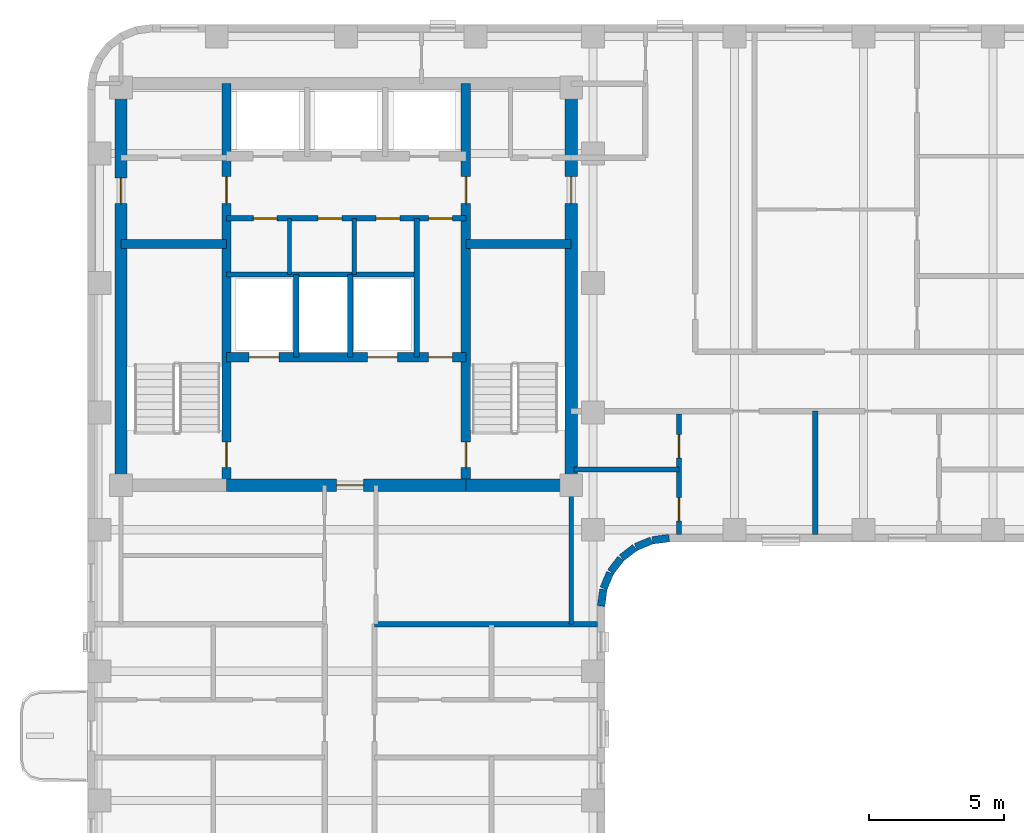
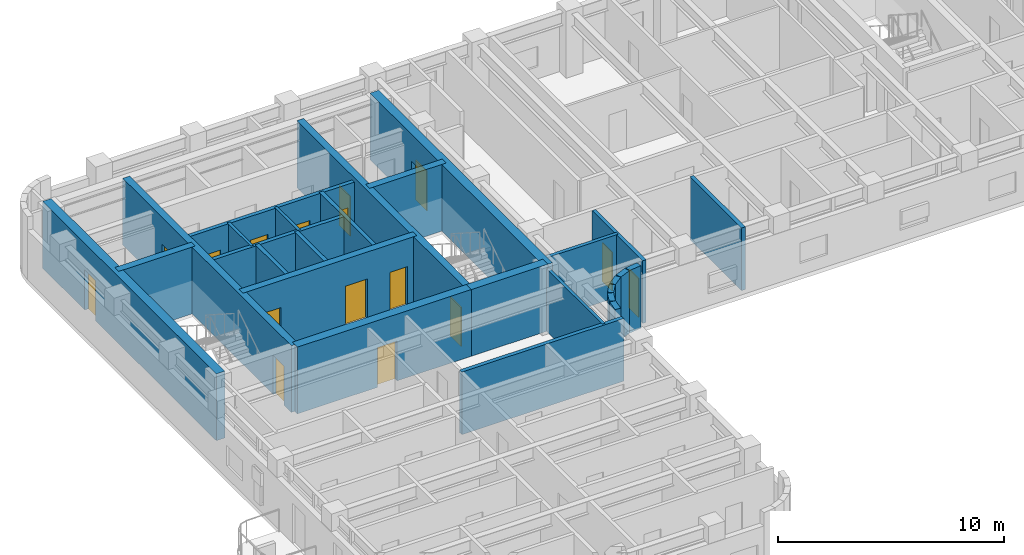
# One storey, part 4 of 10: 27 walls, 16 doors, 16 openings.
"""IFC4 building model written with IfcOpenShell, lengths in metres."""

from ifc_helpers import new_model, si_unit, direction, frame, frame_2d, origin, place, context, subcontext, project, spatial, rectangle, extrude, material, layer, layer_set, type_object, element, fill, save


model = new_model("IFC4")

# Units and contexts
model_context = context("Model", 3, precision=1e-05, world=origin(), true_north=direction((0.0, 1.0)))
body_context = subcontext(model_context, "Body", "Model", "MODEL_VIEW")
ifc_project = project(units=[si_unit("LENGTHUNIT", "METRE"), si_unit("AREAUNIT", "SQUARE_METRE"), si_unit("VOLUMEUNIT", "CUBIC_METRE"), si_unit("PLANEANGLEUNIT", "RADIAN"), si_unit("MASSUNIT", "GRAM", prefix="KILO")], contexts=[model_context])

# Site, building, storey
site_placement = place(None, origin())
site = spatial("IfcSite", under=ifc_project, at=site_placement, CompositionType="ELEMENT")
building_placement = place(site_placement, origin())
building = spatial("IfcBuilding", under=site, at=building_placement, Name="Orvandelia Arch Residences", CompositionType="ELEMENT")
storey_placement = place(building_placement, frame((0.0, 0.0, 211.0)))
storey = spatial("IfcBuildingStorey", under=building, at=storey_placement, Name="L55", CompositionType="ELEMENT", Elevation=211.0)

# Wall, openings, doors
ifc_material_1 = material(Name="Concrete C50/60", Category="concrete")
ifc_layer_1 = layer(ifc_material_1, 0.35009765625, Name="Concrete C50/60", Category="concrete")
ifc_layer_set_1 = layer_set([ifc_layer_1], Name="Concrete C50/60")
wall_type_1 = type_object("IfcWallType", Name="WL-CORE-350", PredefinedType="SHEAR", material=ifc_layer_set_1)
wall_1_placement = place(storey_placement, frame((9.9599609375, 30.89990234375, 0.0), z_axis=(0.0, 0.0, 1.0), x_axis=(0.0, 1.0, 0.0)))
wall_1 = element("IfcWall", 1, at=wall_1_placement, inside=storey, type_object=wall_type_1, Name="Core Shear Wall L55-WEB1", PredefinedType="SHEAR", context=body_context, shape_type="SweptSolid", body=[
    extrude(rectangle(XDim=14.900146484375, YDim=0.35009765625, at=frame_2d((7.4501953125, 0.0))), origin(), (0.0, 0.0, 1.0), 3.60009765625),
])
opening_1_placement = place(wall_1_placement, frame((0.64990234375, 0.0, 0.0)))
opening_1 = element("IfcOpeningElement", 2, at=opening_1_placement, cuts=wall_1, Name="Opening D7", PredefinedType="OPENING", context=body_context, shape_type="SweptSolid", body=[
    extrude(rectangle(XDim=0.949951171875, YDim=2.10009765625, at=frame_2d((0.47509765625, 1.050048828125))), frame((0.0, 0.18505859375, 0.0), z_axis=(0.0, -1.0, 0.0), x_axis=(1.0, 0.0, 0.0)), (0.0, 0.0, 1.0), 0.3701171875),
])
opening_2_placement = place(wall_1_placement, frame((10.449951171875, 0.0, 0.0)))
opening_2 = element("IfcOpeningElement", 3, at=opening_2_placement, cuts=wall_1, Name="Opening D6", PredefinedType="OPENING", context=body_context, shape_type="SweptSolid", body=[
    extrude(rectangle(XDim=1.0, YDim=2.14990234375, at=frame_2d((0.5, 1.074951171875))), frame((0.0, 0.18505859375, 0.0), z_axis=(0.0, -1.0, 0.0), x_axis=(1.0, 0.0, 0.0)), (0.0, 0.0, 1.0), 0.3701171875),
])
ifc_material_2 = material(Name="Smokeproof Painted Steel Fire Door", Category="steel")
door_type_1 = type_object("IfcDoorType", Name="DR-FD60-1000", OperationType="NOTDEFINED", PredefinedType="DOOR", material=ifc_material_2)
door_1_placement = place(opening_2_placement, origin())
door_1 = element("IfcDoor", 4, at=door_1_placement, inside=storey, type_object=door_type_1, Name="High-Rise Lift Hall West Vestibule Door L55", OperationType="SINGLE_SWING_LEFT", OverallHeight=2.14990234375, OverallWidth=1.0, PredefinedType="DOOR", context=body_context, shape_type="SweptSolid", body=[
    extrude(rectangle(XDim=1.0, YDim=2.14990234375, at=frame_2d((0.5, 1.074951171875))), frame((0.0, 0.02490234375, 0.0), z_axis=(0.0, -1.0, 0.0), x_axis=(1.0, 0.0, 0.0)), (0.0, 0.0, 1.0), 0.050048828125),
])
fill(opening_2, door_1)
ifc_material_3 = material(Name="Pressurised Stairwell Fire Door")
door_type_2 = type_object("IfcDoorType", Name="DR-STAIR-950", OperationType="NOTDEFINED", PredefinedType="DOOR", material=ifc_material_3)
door_2_placement = place(opening_1_placement, origin())
door_2 = element("IfcDoor", 5, at=door_2_placement, inside=storey, type_object=door_type_2, Name="Stairwell ST-1 Fire Door L55", OperationType="SINGLE_SWING_LEFT", OverallHeight=2.10009765625, OverallWidth=0.949951171875, PredefinedType="DOOR", context=body_context, shape_type="SweptSolid", body=[
    extrude(rectangle(XDim=0.949951171875, YDim=2.10009765625, at=frame_2d((0.47509765625, 1.050048828125))), frame((0.0, 0.02490234375, 0.0), z_axis=(0.0, -1.0, 0.0), x_axis=(1.0, 0.0, 0.0)), (0.0, 0.0, 1.0), 0.050048828125),
])
fill(opening_1, door_2)

wall_2_placement = place(storey_placement, frame((18.840087890625, 30.89990234375, 0.0), z_axis=(0.0, 0.0, 1.0), x_axis=(0.0, 1.0, 0.0)))
wall_2 = element("IfcWall", 6, at=wall_2_placement, inside=storey, type_object=wall_type_1, Name="Core Shear Wall L55-WEB2", PredefinedType="SHEAR", context=body_context, shape_type="SweptSolid", body=[
    extrude(rectangle(XDim=14.900146484375, YDim=0.35009765625, at=frame_2d((7.4501953125, 0.0))), origin(), (0.0, 0.0, 1.0), 3.60009765625),
])
opening_3_placement = place(wall_2_placement, frame((0.64990234375, 0.0, 0.0)))
opening_3 = element("IfcOpeningElement", 7, at=opening_3_placement, cuts=wall_2, Name="Opening D7", PredefinedType="OPENING", context=body_context, shape_type="SweptSolid", body=[
    extrude(rectangle(XDim=0.949951171875, YDim=2.10009765625, at=frame_2d((0.47509765625, 1.050048828125))), frame((0.0, 0.18505859375, 0.0), z_axis=(0.0, -1.0, 0.0), x_axis=(1.0, 0.0, 0.0)), (0.0, 0.0, 1.0), 0.3701171875),
])
opening_4_placement = place(wall_2_placement, frame((10.449951171875, 0.0, 0.0)))
opening_4 = element("IfcOpeningElement", 8, at=opening_4_placement, cuts=wall_2, Name="Opening D6", PredefinedType="OPENING", context=body_context, shape_type="SweptSolid", body=[
    extrude(rectangle(XDim=1.0, YDim=2.14990234375, at=frame_2d((0.5, 1.074951171875))), frame((0.0, 0.18505859375, 0.0), z_axis=(0.0, -1.0, 0.0), x_axis=(1.0, 0.0, 0.0)), (0.0, 0.0, 1.0), 0.3701171875),
])
door_3_placement = place(opening_4_placement, origin())
door_3 = element("IfcDoor", 9, at=door_3_placement, inside=storey, type_object=door_type_1, Name="High-Rise Lift Hall East Vestibule Door L55", OperationType="SINGLE_SWING_RIGHT", OverallHeight=2.14990234375, OverallWidth=1.0, PredefinedType="DOOR", context=body_context, shape_type="SweptSolid", body=[
    extrude(rectangle(XDim=1.0, YDim=2.14990234375, at=frame_2d((0.5, 1.074951171875))), frame((0.0, 0.02490234375, 0.0), z_axis=(0.0, -1.0, 0.0), x_axis=(1.0, 0.0, 0.0)), (0.0, 0.0, 1.0), 0.050048828125),
])
fill(opening_4, door_3)
door_4_placement = place(opening_3_placement, origin())
door_4 = element("IfcDoor", 10, at=door_4_placement, inside=storey, type_object=door_type_2, Name="Stairwell ST-2 Fire Door L55", OperationType="SINGLE_SWING_RIGHT", OverallHeight=2.10009765625, OverallWidth=0.949951171875, PredefinedType="DOOR", context=body_context, shape_type="SweptSolid", body=[
    extrude(rectangle(XDim=0.949951171875, YDim=2.10009765625, at=frame_2d((0.47509765625, 1.050048828125))), frame((0.0, 0.02490234375, 0.0), z_axis=(0.0, -1.0, 0.0), x_axis=(1.0, 0.0, 0.0)), (0.0, 0.0, 1.0), 0.050048828125),
])
fill(opening_3, door_4)

# Walls
for number, where, z_axis, x_axis, name in (
    (11, (6.050048828125, 39.85009765625, 0.0), (0.0, 0.0, 1.0), (1.0, 0.0, 0.0), "Core Shear Wall L55-HZ1"),
    (12, (18.840087890625, 39.85009765625, 0.0), (0.0, 0.0, 1.0), (1.0, 0.0, 0.0), "Core Shear Wall L55-HZ2"),
):
    element("IfcWall", number, at=place(storey_placement, frame(where, z_axis=z_axis, x_axis=x_axis)), inside=storey, type_object=wall_type_1, Name=name, PredefinedType="SHEAR", context=body_context, shape_type="SweptSolid", body=[
        extrude(rectangle(XDim=3.909912109375, YDim=0.35009765625, at=frame_2d((1.955078125, 0.0))), origin(), (0.0, 0.0, 1.0), 3.60009765625),
    ])

# Wall, openings, doors
wall_3_placement = place(storey_placement, frame((9.9599609375, 35.64990234375, 0.0), z_axis=(0.0, 0.0, 1.0), x_axis=(1.0, 0.0, 0.0)))
wall_3 = element("IfcWall", 13, at=wall_3_placement, inside=storey, type_object=wall_type_1, Name="Core Shear Wall L55-HZ3", PredefinedType="SHEAR", context=body_context, shape_type="SweptSolid", body=[
    extrude(rectangle(XDim=8.880126953125, YDim=0.35009765625, at=frame_2d((4.43994140625, 0.0))), origin(), (0.0, 0.0, 1.0), 3.60009765625),
])
opening_5_placement = place(wall_3_placement, frame((0.840087890625, 0.0, 0.0)))
opening_5 = element("IfcOpeningElement", 14, at=opening_5_placement, cuts=wall_3, Name="Opening FLD", PredefinedType="OPENING", context=body_context, shape_type="SweptSolid", body=[
    extrude(rectangle(XDim=1.10009765625, YDim=2.14990234375, at=frame_2d((0.550048828125, 1.074951171875))), frame((0.0, 0.18505859375, 0.0), z_axis=(0.0, -1.0, 0.0), x_axis=(1.0, 0.0, 0.0)), (0.0, 0.0, 1.0), 0.3701171875),
])
opening_6_placement = place(wall_3_placement, frame((5.239990234375, 0.0, 0.0)))
opening_6 = element("IfcOpeningElement", 15, at=opening_6_placement, cuts=wall_3, Name="Opening FLD", PredefinedType="OPENING", context=body_context, shape_type="SweptSolid", body=[
    extrude(rectangle(XDim=1.10009765625, YDim=2.14990234375, at=frame_2d((0.550048828125, 1.074951171875))), frame((0.0, 0.18505859375, 0.0), z_axis=(0.0, -1.0, 0.0), x_axis=(1.0, 0.0, 0.0)), (0.0, 0.0, 1.0), 0.3701171875),
])
opening_7_placement = place(wall_3_placement, frame((7.5, 0.0, 0.0)))
opening_7 = element("IfcOpeningElement", 16, at=opening_7_placement, cuts=wall_3, Name="Opening D5", PredefinedType="OPENING", context=body_context, shape_type="SweptSolid", body=[
    extrude(rectangle(XDim=0.8798828125, YDim=2.10009765625, at=frame_2d((0.43994140625, 1.050048828125))), frame((0.0, 0.18505859375, 0.0), z_axis=(0.0, -1.0, 0.0), x_axis=(1.0, 0.0, 0.0)), (0.0, 0.0, 1.0), 0.3701171875),
])
ifc_material_4 = material(Name="Firefighting Lift Stainless Sliding Door")
door_type_3 = type_object("IfcDoorType", Name="DR-FLFT-1100", OperationType="NOTDEFINED", PredefinedType="DOOR", material=ifc_material_4)
door_5_placement = place(opening_5_placement, origin())
door_5 = element("IfcDoor", 17, at=door_5_placement, inside=storey, type_object=door_type_3, Name="Firefighting Lift Landing Door FLD-FL1-L55", OperationType="SLIDING_TO_LEFT", OverallHeight=2.14990234375, OverallWidth=1.10009765625, PredefinedType="DOOR", context=body_context, shape_type="SweptSolid", body=[
    extrude(rectangle(XDim=1.10009765625, YDim=2.14990234375, at=frame_2d((0.550048828125, 1.074951171875))), frame((0.0, 0.02490234375, 0.0), z_axis=(0.0, -1.0, 0.0), x_axis=(1.0, 0.0, 0.0)), (0.0, 0.0, 1.0), 0.050048828125),
])
fill(opening_5, door_5)
door_6_placement = place(opening_6_placement, origin())
door_6 = element("IfcDoor", 18, at=door_6_placement, inside=storey, type_object=door_type_3, Name="Firefighting Lift Landing Door FLD-FL2-L55", OperationType="SLIDING_TO_RIGHT", OverallHeight=2.14990234375, OverallWidth=1.10009765625, PredefinedType="DOOR", context=body_context, shape_type="SweptSolid", body=[
    extrude(rectangle(XDim=1.10009765625, YDim=2.14990234375, at=frame_2d((0.550048828125, 1.074951171875))), frame((0.0, 0.02490234375, 0.0), z_axis=(0.0, -1.0, 0.0), x_axis=(1.0, 0.0, 0.0)), (0.0, 0.0, 1.0), 0.050048828125),
])
fill(opening_6, door_6)
ifc_material_5 = material(Name="Painted Galvanised Steel Service Door", Category="steel")
door_type_4 = type_object("IfcDoorType", Name="DR-SRV-880", OperationType="NOTDEFINED", PredefinedType="DOOR", material=ifc_material_5)
door_7_placement = place(opening_7_placement, origin())
door_7 = element("IfcDoor", 19, at=door_7_placement, inside=storey, type_object=door_type_4, Name="Core Stairway Passage South Fire Door L55", OperationType="SINGLE_SWING_LEFT", OverallHeight=2.10009765625, OverallWidth=0.8798828125, PredefinedType="DOOR", context=body_context, shape_type="SweptSolid", body=[
    extrude(rectangle(XDim=0.8798828125, YDim=2.10009765625, at=frame_2d((0.43994140625, 1.050048828125))), frame((0.0, 0.02490234375, 0.0), z_axis=(0.0, -1.0, 0.0), x_axis=(1.0, 0.0, 0.0)), (0.0, 0.0, 1.0), 0.050048828125),
])
fill(opening_7, door_7)

# Wall, opening, door
ifc_layer_2 = layer(ifc_material_1, 0.449951171875, Name="Concrete C50/60", Category="concrete")
ifc_layer_set_2 = layer_set([ifc_layer_2], Name="Concrete C50/60")
wall_type_2 = type_object("IfcWallType", Name="WL-CORE-450", PredefinedType="SHEAR", material=ifc_layer_set_2)
wall_4_placement = place(storey_placement, frame((6.050048828125, 30.675048828125, 0.0), z_axis=(0.0, 0.0, 1.0), x_axis=(0.0, 1.0, 0.0)))
wall_4 = element("IfcWall", 20, at=wall_4_placement, inside=storey, type_object=wall_type_2, Name="Core Shear Wall L55-W", PredefinedType="SHEAR", context=body_context, shape_type="SweptSolid", body=[
    extrude(rectangle(XDim=15.349853515625, YDim=0.449951171875, at=frame_2d((7.6748046875, 0.0))), origin(), (0.0, 0.0, 1.0), 3.60009765625),
])
opening_8_placement = place(wall_4_placement, frame((10.675048828125, 0.0, 0.0)))
opening_8 = element("IfcOpeningElement", 21, at=opening_8_placement, cuts=wall_4, Name="Opening D2", PredefinedType="OPENING", context=body_context, shape_type="SweptSolid", body=[
    extrude(rectangle(XDim=0.949951171875, YDim=2.14990234375, at=frame_2d((0.47509765625, 1.074951171875))), frame((0.0, 0.23486328125, 0.0), z_axis=(0.0, -1.0, 0.0), x_axis=(1.0, 0.0, 0.0)), (0.0, 0.0, 1.0), 0.469970703125),
])
ifc_material_6 = material(Name="Solid-Core Timber Interior Fire Door", Category="wood")
door_type_5 = type_object("IfcDoorType", Name="DR-APT-950", OperationType="NOTDEFINED", PredefinedType="DOOR", material=ifc_material_6)
door_8_placement = place(opening_8_placement, origin())
door_8 = element("IfcDoor", 22, at=door_8_placement, inside=storey, type_object=door_type_5, Name="West Viewing Study Door L55", OperationType="SINGLE_SWING_RIGHT", OverallHeight=2.14990234375, OverallWidth=0.949951171875, PredefinedType="DOOR", context=body_context, shape_type="SweptSolid", body=[
    extrude(rectangle(XDim=0.949951171875, YDim=2.14990234375, at=frame_2d((0.47509765625, 1.074951171875))), frame((0.0, 0.02490234375, 0.0), z_axis=(0.0, -1.0, 0.0), x_axis=(1.0, 0.0, 0.0)), (0.0, 0.0, 1.0), 0.050048828125),
])
fill(opening_8, door_8)

wall_5_placement = place(storey_placement, frame((22.75, 30.675048828125, 0.0), z_axis=(0.0, 0.0, 1.0), x_axis=(0.0, 1.0, 0.0)))
wall_5 = element("IfcWall", 23, at=wall_5_placement, inside=storey, type_object=wall_type_2, Name="Core Shear Wall L55-E", PredefinedType="SHEAR", context=body_context, shape_type="SweptSolid", body=[
    extrude(rectangle(XDim=15.349853515625, YDim=0.449951171875, at=frame_2d((7.6748046875, 0.0))), origin(), (0.0, 0.0, 1.0), 3.60009765625),
])
opening_9_placement = place(wall_5_placement, frame((10.675048828125, 0.0, 0.0)))
opening_9 = element("IfcOpeningElement", 24, at=opening_9_placement, cuts=wall_5, Name="Opening D6", PredefinedType="OPENING", context=body_context, shape_type="SweptSolid", body=[
    extrude(rectangle(XDim=1.0, YDim=2.14990234375, at=frame_2d((0.5, 1.074951171875))), frame((0.0, 0.23486328125, 0.0), z_axis=(0.0, -1.0, 0.0), x_axis=(1.0, 0.0, 0.0)), (0.0, 0.0, 1.0), 0.469970703125),
])
door_9_placement = place(opening_9_placement, origin())
door_9 = element("IfcDoor", 25, at=door_9_placement, inside=storey, type_object=door_type_1, Name="Core East Corridor Link Door L55", OperationType="SINGLE_SWING_LEFT", OverallHeight=2.14990234375, OverallWidth=1.0, PredefinedType="DOOR", context=body_context, shape_type="SweptSolid", body=[
    extrude(rectangle(XDim=1.0, YDim=2.14990234375, at=frame_2d((0.5, 1.074951171875))), frame((0.0, 0.02490234375, 0.0), z_axis=(0.0, -1.0, 0.0), x_axis=(1.0, 0.0, 0.0)), (0.0, 0.0, 1.0), 0.050048828125),
])
fill(opening_9, door_9)

wall_6_placement = place(storey_placement, frame((9.9599609375, 30.89990234375, 0.0), z_axis=(0.0, 0.0, 1.0), x_axis=(1.0, 0.0, 0.0)))
wall_6 = element("IfcWall", 26, at=wall_6_placement, inside=storey, type_object=wall_type_2, Name="Core Shear Wall L55-SM", PredefinedType="SHEAR", context=body_context, shape_type="SweptSolid", body=[
    extrude(rectangle(XDim=8.880126953125, YDim=0.449951171875, at=frame_2d((4.43994140625, 0.0))), origin(), (0.0, 0.0, 1.0), 3.60009765625),
])
opening_10_placement = place(wall_6_placement, frame((4.090087890625, 0.0, 0.0)))
opening_10 = element("IfcOpeningElement", 27, at=opening_10_placement, cuts=wall_6, Name="Opening D6", PredefinedType="OPENING", context=body_context, shape_type="SweptSolid", body=[
    extrude(rectangle(XDim=1.0, YDim=2.14990234375, at=frame_2d((0.5, 1.074951171875))), frame((0.0, 0.23486328125, 0.0), z_axis=(0.0, -1.0, 0.0), x_axis=(1.0, 0.0, 0.0)), (0.0, 0.0, 1.0), 0.469970703125),
])
door_10_placement = place(opening_10_placement, origin())
door_10 = element("IfcDoor", 28, at=door_10_placement, inside=storey, type_object=door_type_1, Name="Firefighting Lobby Smokeproof Door L55", OperationType="SINGLE_SWING_LEFT", OverallHeight=2.14990234375, OverallWidth=1.0, PredefinedType="DOOR", context=body_context, shape_type="SweptSolid", body=[
    extrude(rectangle(XDim=1.0, YDim=2.14990234375, at=frame_2d((0.5, 1.074951171875))), frame((0.0, 0.02490234375, 0.0), z_axis=(0.0, -1.0, 0.0), x_axis=(1.0, 0.0, 0.0)), (0.0, 0.0, 1.0), 0.050048828125),
])
fill(opening_10, door_10)

# Walls
wall_7_placement = place(storey_placement, frame((18.840087890625, 30.89990234375, 0.0), z_axis=(0.0, 0.0, 1.0), x_axis=(1.0, 0.0, 0.0)))
element("IfcWall", 29, at=wall_7_placement, inside=storey, type_object=wall_type_2, Name="Core Shear Wall L55-SE", PredefinedType="SHEAR", context=body_context, shape_type="SweptSolid", body=[
    extrude(rectangle(XDim=3.909912109375, YDim=0.449951171875, at=frame_2d((1.955078125, 0.0))), origin(), (0.0, 0.0, 1.0), 3.60009765625),
])
ifc_material_7 = material(Name="Fire-Rated Corridor Partition")
ifc_layer_3 = layer(ifc_material_7, 0.199951171875, Name="Fire-Rated Corridor Partition")
ifc_layer_set_3 = layer_set([ifc_layer_3], Name="Fire-Rated Corridor Partition")
wall_type_3 = type_object("IfcWallType", Name="WL-CORR-200", PredefinedType="PARTITIONING", material=ifc_layer_set_3)
wall_8_placement = place(storey_placement, frame((15.449951171875, 25.75, 0.0), z_axis=(0.0, 0.0, 1.0), x_axis=(1.0, 0.0, 0.0)))
element("IfcWall", 30, at=wall_8_placement, inside=storey, type_object=wall_type_3, Name="Interior Partition Wall WL-L55-WCLS-E", PredefinedType="PARTITIONING", context=body_context, shape_type="SweptSolid", body=[
    extrude(rectangle(XDim=8.27001953125, YDim=0.199951171875, at=frame_2d((4.135009765625, 0.0))), origin(), (0.0, 0.0, 1.0), 3.3798828125),
])
ifc_material_8 = material(Name="Concrete C40/50", Category="concrete")
ifc_layer_4 = layer(ifc_material_8, 0.199951171875, Name="Concrete C40/50", Category="concrete")
ifc_layer_set_4 = layer_set([ifc_layer_4], Name="Concrete C40/50")
wall_type_4 = type_object("IfcWallType", Name="WL-DEM-200", PredefinedType="SOLIDWALL", material=ifc_layer_set_4)
wall_9_placement = place(storey_placement, frame((31.800048828125, 29.080078125, 0.0), z_axis=(0.0, 0.0, 1.0), x_axis=(0.0, 1.0, 0.0)))
element("IfcWall", 31, at=wall_9_placement, inside=storey, type_object=wall_type_4, Name="Interior Partition Wall WL-L55-DEM-ESS-318", PredefinedType="SOLIDWALL", context=body_context, shape_type="SweptSolid", body=[
    extrude(rectangle(XDim=4.56982421875, YDim=0.199951171875, at=frame_2d((2.284912109375, 0.0))), origin(), (0.0, 0.0, 1.0), 3.3798828125),
])
ifc_material_9 = material(Name="Precast concrete C40/50", Category="concrete")
ifc_layer_5 = layer(ifc_material_9, 0.280029296875, Name="Precast concrete C40/50", Category="concrete")
ifc_layer_set_5 = layer_set([ifc_layer_5], Name="Precast concrete C40/50")
wall_type_5 = type_object("IfcWallType", Name="WL-EXT-STONE-280", PredefinedType="STANDARD", material=ifc_layer_set_5)
wall_10_placement = place(storey_placement, frame((26.381591796875, 28.938720703125, 0.0), z_axis=(0.0, 0.0, 1.0), x_axis=(-0.9914410257, -0.130555323746, 0.0)))
element("IfcWall", 32, at=wall_10_placement, inside=storey, type_object=wall_type_5, Name="Coral-Limestone Precast Facade Wall L55-022", PredefinedType="STANDARD", context=body_context, shape_type="SweptSolid", body=[
    extrude(rectangle(XDim=0.62646484375, YDim=0.280029296875, at=frame_2d((0.313232421875, 0.0))), origin(), (0.0, 0.0, 1.0), 3.3798828125),
])
wall_11_placement = place(storey_placement, frame((25.72509765625, 28.847412109375, 0.0), z_axis=(0.0, 0.0, 1.0), x_axis=(-0.923974080304, -0.382455093999, 0.0)))
element("IfcWall", 33, at=wall_11_placement, inside=storey, type_object=wall_type_5, Name="Coral-Limestone Precast Facade Wall L55-023", PredefinedType="STANDARD", context=body_context, shape_type="SweptSolid", body=[
    extrude(rectangle(XDim=0.626220703125, YDim=0.280029296875, at=frame_2d((0.31298828125, 0.0))), origin(), (0.0, 0.0, 1.0), 3.3798828125),
])
for number, where, z_axis, x_axis, name in (
    (34, (25.11474609375, 28.589599609375, 0.0), (0.0, 0.0, 1.0), (-0.793405610854, -0.608693302629, 0.0), "Coral-Limestone Precast Facade Wall L55-024"),
    (35, (24.591796875, 28.182373046875, 0.0), (0.0, 0.0, 1.0), (-0.608693302629, -0.793405610854, 0.0), "Coral-Limestone Precast Facade Wall L55-025"),
    (36, (24.192138671875, 27.653564453125, 0.0), (0.0, 0.0, 1.0), (-0.382650053678, -0.92389335771, 0.0), "Coral-Limestone Precast Facade Wall L55-026"),
):
    element("IfcWall", number, at=place(storey_placement, frame(where, z_axis=z_axis, x_axis=x_axis)), inside=storey, type_object=wall_type_5, Name=name, PredefinedType="STANDARD", context=body_context, shape_type="SweptSolid", body=[
        extrude(rectangle(XDim=0.62646484375, YDim=0.280029296875, at=frame_2d((0.313232421875, 0.0))), origin(), (0.0, 0.0, 1.0), 3.3798828125),
    ])
wall_12_placement = place(storey_placement, frame((23.943115234375, 27.03955078125, 0.0), z_axis=(0.0, 0.0, 1.0), x_axis=(-0.130887801573, -0.991397187508, 0.0)))
element("IfcWall", 37, at=wall_12_placement, inside=storey, type_object=wall_type_5, Name="Coral-Limestone Precast Facade Wall L55-027", PredefinedType="STANDARD", context=body_context, shape_type="SweptSolid", body=[
    extrude(rectangle(XDim=0.626708984375, YDim=0.280029296875, at=frame_2d((0.3134765625, 0.0))), origin(), (0.0, 0.0, 1.0), 3.3798828125),
])
ifc_material_10 = material(Name="Acoustic Gypsum Stud Partition")
ifc_layer_6 = layer(ifc_material_10, 0.14990234375, Name="Acoustic Gypsum Stud Partition")
ifc_layer_set_6 = layer_set([ifc_layer_6], Name="Acoustic Gypsum Stud Partition")
wall_type_6 = type_object("IfcWallType", Name="WL-PART-150", PredefinedType="PARTITIONING", material=ifc_layer_set_6)
for number, where, z_axis, x_axis, name in (
    (38, (12.300048828125, 38.719970703125, 0.0), (0.0, 0.0, 1.0), (0.0, 1.0, 0.0), "Interior Partition Wall WL-L55-CSA-1"),
    (39, (14.699951171875, 38.719970703125, 0.0), (0.0, 0.0, 1.0), (0.0, 1.0, 0.0), "Interior Partition Wall WL-L55-CSA-2"),
):
    element("IfcWall", number, at=place(storey_placement, frame(where, z_axis=z_axis, x_axis=x_axis)), inside=storey, type_object=wall_type_6, Name=name, PredefinedType="PARTITIONING", context=body_context, shape_type="SweptSolid", body=[
        extrude(rectangle(XDim=2.080078125, YDim=0.14990234375, at=frame_2d((1.0400390625, 0.0))), origin(), (0.0, 0.0, 1.0), 3.3798828125),
    ])
wall_13_placement = place(storey_placement, frame((22.75, 25.75, 0.0), z_axis=(0.0, 0.0, 1.0), x_axis=(0.0, 1.0, 0.0)))
element("IfcWall", 40, at=wall_13_placement, inside=storey, type_object=wall_type_6, Name="Interior Partition Wall WL-L55-HI-WE", PredefinedType="PARTITIONING", context=body_context, shape_type="SweptSolid", body=[
    extrude(rectangle(XDim=5.14990234375, YDim=0.14990234375, at=frame_2d((2.574951171875, 0.0))), origin(), (0.0, 0.0, 1.0), 3.3798828125),
])
ifc_material_11 = material(Name="Fire-Rated Shaft Enclosure Wall")
ifc_layer_7 = layer(ifc_material_11, 0.199951171875, Name="Fire-Rated Shaft Enclosure Wall")
ifc_layer_set_7 = layer_set([ifc_layer_7], Name="Fire-Rated Shaft Enclosure Wall")
wall_type_7 = type_object("IfcWallType", Name="WL-SHAFT-200", PredefinedType="POLYGONAL", material=ifc_layer_set_7)
wall_14_placement = place(storey_placement, frame((9.9599609375, 38.719970703125, 0.0), z_axis=(0.0, 0.0, 1.0), x_axis=(1.0, 0.0, 0.0)))
element("IfcWall", 41, at=wall_14_placement, inside=storey, type_object=wall_type_7, Name="Interior Partition Wall WL-L55-FLN", PredefinedType="POLYGONAL", context=body_context, shape_type="SweptSolid", body=[
    extrude(rectangle(XDim=7.06005859375, YDim=0.199951171875, at=frame_2d((3.530029296875, 0.0))), origin(), (0.0, 0.0, 1.0), 3.3798828125),
])
for number, where, z_axis, x_axis, name in (
    (42, (12.550048828125, 35.64990234375, 0.0), (0.0, 0.0, 1.0), (0.0, 1.0, 0.0), "Interior Partition Wall WL-L55-FLM1"),
    (43, (14.550048828125, 35.64990234375, 0.0), (0.0, 0.0, 1.0), (0.0, 1.0, 0.0), "Interior Partition Wall WL-L55-FLM2"),
):
    element("IfcWall", number, at=place(storey_placement, frame(where, z_axis=z_axis, x_axis=x_axis)), inside=storey, type_object=wall_type_7, Name=name, PredefinedType="POLYGONAL", context=body_context, shape_type="SweptSolid", body=[
        extrude(rectangle(XDim=3.070068359375, YDim=0.199951171875, at=frame_2d((1.53515625, 0.0))), origin(), (0.0, 0.0, 1.0), 3.3798828125),
    ])
wall_15_placement = place(storey_placement, frame((17.02001953125, 35.64990234375, 0.0), z_axis=(0.0, 0.0, 1.0), x_axis=(0.0, 1.0, 0.0)))
element("IfcWall", 44, at=wall_15_placement, inside=storey, type_object=wall_type_7, Name="Interior Partition Wall WL-L55-FLM3", PredefinedType="POLYGONAL", context=body_context, shape_type="SweptSolid", body=[
    extrude(rectangle(XDim=5.150146484375, YDim=0.199951171875, at=frame_2d((2.5751953125, 0.0))), origin(), (0.0, 0.0, 1.0), 3.3798828125),
])

# Wall, openings, doors
wall_16_placement = place(storey_placement, frame((9.9599609375, 40.800048828125, 0.0), z_axis=(0.0, 0.0, 1.0), x_axis=(1.0, 0.0, 0.0)))
wall_16 = element("IfcWall", 45, at=wall_16_placement, inside=storey, type_object=wall_type_7, Name="Interior Partition Wall WL-L55-HLH-S", PredefinedType="POLYGONAL", context=body_context, shape_type="SweptSolid", body=[
    extrude(rectangle(XDim=8.880126953125, YDim=0.199951171875, at=frame_2d((4.43994140625, 0.0))), origin(), (0.0, 0.0, 1.0), 3.3798828125),
])
opening_11_placement = place(wall_16_placement, frame((7.5, 0.0, 0.0)))
opening_11 = element("IfcOpeningElement", 46, at=opening_11_placement, cuts=wall_16, Name="Opening D5", PredefinedType="OPENING", context=body_context, shape_type="SweptSolid", body=[
    extrude(rectangle(XDim=0.8798828125, YDim=2.10009765625, at=frame_2d((0.43994140625, 1.050048828125))), frame((0.0, 0.10986328125, 0.0), z_axis=(0.0, -1.0, 0.0), x_axis=(1.0, 0.0, 0.0)), (0.0, 0.0, 1.0), 0.219970703125),
])
opening_12_placement = place(wall_16_placement, frame((1.0, 0.0, 0.0)))
opening_12 = element("IfcOpeningElement", 47, at=opening_12_placement, cuts=wall_16, Name="Opening D5", PredefinedType="OPENING", context=body_context, shape_type="SweptSolid", body=[
    extrude(rectangle(XDim=0.8798828125, YDim=2.10009765625, at=frame_2d((0.43994140625, 1.050048828125))), frame((0.0, 0.10986328125, 0.0), z_axis=(0.0, -1.0, 0.0), x_axis=(1.0, 0.0, 0.0)), (0.0, 0.0, 1.0), 0.219970703125),
])
opening_13_placement = place(wall_16_placement, frame((3.39990234375, 0.0, 0.0)))
opening_13 = element("IfcOpeningElement", 48, at=opening_13_placement, cuts=wall_16, Name="Opening D5", PredefinedType="OPENING", context=body_context, shape_type="SweptSolid", body=[
    extrude(rectangle(XDim=0.8798828125, YDim=2.10009765625, at=frame_2d((0.43994140625, 1.050048828125))), frame((0.0, 0.10986328125, 0.0), z_axis=(0.0, -1.0, 0.0), x_axis=(1.0, 0.0, 0.0)), (0.0, 0.0, 1.0), 0.219970703125),
])
opening_14_placement = place(wall_16_placement, frame((5.550048828125, 0.0, 0.0)))
opening_14 = element("IfcOpeningElement", 49, at=opening_14_placement, cuts=wall_16, Name="Opening D5", PredefinedType="OPENING", context=body_context, shape_type="SweptSolid", body=[
    extrude(rectangle(XDim=0.8798828125, YDim=2.10009765625, at=frame_2d((0.43994140625, 1.050048828125))), frame((0.0, 0.10986328125, 0.0), z_axis=(0.0, -1.0, 0.0), x_axis=(1.0, 0.0, 0.0)), (0.0, 0.0, 1.0), 0.219970703125),
])
door_11_placement = place(opening_11_placement, origin())
door_11 = element("IfcDoor", 50, at=door_11_placement, inside=storey, type_object=door_type_4, Name="Core Stairway Passage North Fire Door L55", OperationType="SINGLE_SWING_RIGHT", OverallHeight=2.10009765625, OverallWidth=0.8798828125, PredefinedType="DOOR", context=body_context, shape_type="SweptSolid", body=[
    extrude(rectangle(XDim=0.8798828125, YDim=2.10009765625, at=frame_2d((0.43994140625, 1.050048828125))), frame((0.0, 0.02490234375, 0.0), z_axis=(0.0, -1.0, 0.0), x_axis=(1.0, 0.0, 0.0)), (0.0, 0.0, 1.0), 0.050048828125),
])
fill(opening_11, door_11)
door_12_placement = place(opening_12_placement, origin())
door_12 = element("IfcDoor", 51, at=door_12_placement, inside=storey, type_object=door_type_4, Name="DR-L55-CSA1", OperationType="SINGLE_SWING_LEFT", OverallHeight=2.10009765625, OverallWidth=0.8798828125, PredefinedType="DOOR", context=body_context, shape_type="SweptSolid", body=[
    extrude(rectangle(XDim=0.8798828125, YDim=2.10009765625, at=frame_2d((0.43994140625, 1.050048828125))), frame((0.0, 0.02490234375, 0.0), z_axis=(0.0, -1.0, 0.0), x_axis=(1.0, 0.0, 0.0)), (0.0, 0.0, 1.0), 0.050048828125),
])
fill(opening_12, door_12)
door_13_placement = place(opening_13_placement, origin())
door_13 = element("IfcDoor", 52, at=door_13_placement, inside=storey, type_object=door_type_4, Name="DR-L55-CSA2", OperationType="SINGLE_SWING_RIGHT", OverallHeight=2.10009765625, OverallWidth=0.8798828125, PredefinedType="DOOR", context=body_context, shape_type="SweptSolid", body=[
    extrude(rectangle(XDim=0.8798828125, YDim=2.10009765625, at=frame_2d((0.43994140625, 1.050048828125))), frame((0.0, 0.02490234375, 0.0), z_axis=(0.0, -1.0, 0.0), x_axis=(1.0, 0.0, 0.0)), (0.0, 0.0, 1.0), 0.050048828125),
])
fill(opening_13, door_13)
door_14_placement = place(opening_14_placement, origin())
door_14 = element("IfcDoor", 53, at=door_14_placement, inside=storey, type_object=door_type_4, Name="DR-L55-CSA3", OperationType="SINGLE_SWING_LEFT", OverallHeight=2.10009765625, OverallWidth=0.8798828125, PredefinedType="DOOR", context=body_context, shape_type="SweptSolid", body=[
    extrude(rectangle(XDim=0.8798828125, YDim=2.10009765625, at=frame_2d((0.43994140625, 1.050048828125))), frame((0.0, 0.02490234375, 0.0), z_axis=(0.0, -1.0, 0.0), x_axis=(1.0, 0.0, 0.0)), (0.0, 0.0, 1.0), 0.050048828125),
])
fill(opening_14, door_14)

ifc_material_12 = material(Name="Moisture-Resistant Plumbing Wall")
ifc_layer_8 = layer(ifc_material_12, 0.179931640625, Name="Moisture-Resistant Plumbing Wall")
ifc_layer_set_8 = layer_set([ifc_layer_8], Name="Moisture-Resistant Plumbing Wall")
wall_type_8 = type_object("IfcWallType", Name="WL-WET-180", PredefinedType="PLUMBINGWALL", material=ifc_layer_set_8)
wall_17_placement = place(storey_placement, frame((26.75, 29.080078125, 0.0), z_axis=(0.0, 0.0, 1.0), x_axis=(0.0, 1.0, 0.0)))
wall_17 = element("IfcWall", 54, at=wall_17_placement, inside=storey, type_object=wall_type_8, Name="Interior Partition Wall WL-L55-U07-VT", PredefinedType="PLUMBINGWALL", context=body_context, shape_type="SweptSolid", body=[
    extrude(rectangle(XDim=4.469970703125, YDim=0.179931640625, at=frame_2d((2.23486328125, 0.0))), origin(), (0.0, 0.0, 1.0), 3.3798828125),
])
opening_15_placement = place(wall_17_placement, frame((0.498779296875, 0.0, 0.0)))
opening_15 = element("IfcOpeningElement", 55, at=opening_15_placement, cuts=wall_17, Name="Opening D4", PredefinedType="OPENING", context=body_context, shape_type="SweptSolid", body=[
    extrude(rectangle(XDim=0.860107421875, YDim=2.10009765625, at=frame_2d((0.43017578125, 1.050048828125))), frame((0.0, 0.10009765625, 0.0), z_axis=(0.0, -1.0, 0.0), x_axis=(1.0, 0.0, 0.0)), (0.0, 0.0, 1.0), 0.199951171875),
])
opening_16_placement = place(wall_17_placement, frame((2.839111328125, 0.0, 0.0)))
opening_16 = element("IfcOpeningElement", 56, at=opening_16_placement, cuts=wall_17, Name="Opening D4", PredefinedType="OPENING", context=body_context, shape_type="SweptSolid", body=[
    extrude(rectangle(XDim=0.860107421875, YDim=2.10009765625, at=frame_2d((0.43017578125, 1.050048828125))), frame((0.0, 0.10009765625, 0.0), z_axis=(0.0, -1.0, 0.0), x_axis=(1.0, 0.0, 0.0)), (0.0, 0.0, 1.0), 0.199951171875),
])
ifc_material_13 = material(Name="Moisture-Sealed Timber Bathroom Door", Category="wood")
door_type_6 = type_object("IfcDoorType", Name="DR-WET-900", OperationType="NOTDEFINED", PredefinedType="DOOR", material=ifc_material_13)
door_15_placement = place(opening_15_placement, origin())
door_15 = element("IfcDoor", 57, at=door_15_placement, inside=storey, type_object=door_type_6, Name="DR-L55-U07-KIT", OperationType="SINGLE_SWING_LEFT", OverallHeight=2.10009765625, OverallWidth=0.860107421875, PredefinedType="DOOR", context=body_context, shape_type="SweptSolid", body=[
    extrude(rectangle(XDim=0.860107421875, YDim=2.10009765625, at=frame_2d((0.43017578125, 1.050048828125))), frame((0.0, 0.02490234375, 0.0), z_axis=(0.0, -1.0, 0.0), x_axis=(1.0, 0.0, 0.0)), (0.0, 0.0, 1.0), 0.050048828125),
])
fill(opening_15, door_15)
door_16_placement = place(opening_16_placement, origin())
door_16 = element("IfcDoor", 58, at=door_16_placement, inside=storey, type_object=door_type_6, Name="DR-L55-U07-BTH", OperationType="SINGLE_SWING_RIGHT", OverallHeight=2.10009765625, OverallWidth=0.860107421875, PredefinedType="DOOR", context=body_context, shape_type="SweptSolid", body=[
    extrude(rectangle(XDim=0.860107421875, YDim=2.10009765625, at=frame_2d((0.43017578125, 1.050048828125))), frame((0.0, 0.02490234375, 0.0), z_axis=(0.0, -1.0, 0.0), x_axis=(1.0, 0.0, 0.0)), (0.0, 0.0, 1.0), 0.050048828125),
])
fill(opening_16, door_16)

# Wall
wall_18_placement = place(storey_placement, frame((22.85009765625, 31.485107421875, 0.0), z_axis=(0.0, 0.0, 1.0), x_axis=(1.0, 0.0, 0.0)))
element("IfcWall", 59, at=wall_18_placement, inside=storey, type_object=wall_type_8, Name="Interior Partition Wall WL-L55-U07-H1", PredefinedType="PLUMBINGWALL", context=body_context, shape_type="SweptSolid", body=[
    extrude(rectangle(XDim=3.89990234375, YDim=0.179931640625, at=frame_2d((1.949951171875, 0.0))), origin(), (0.0, 0.0, 1.0), 3.3798828125),
])

save(model, "model.ifc")
